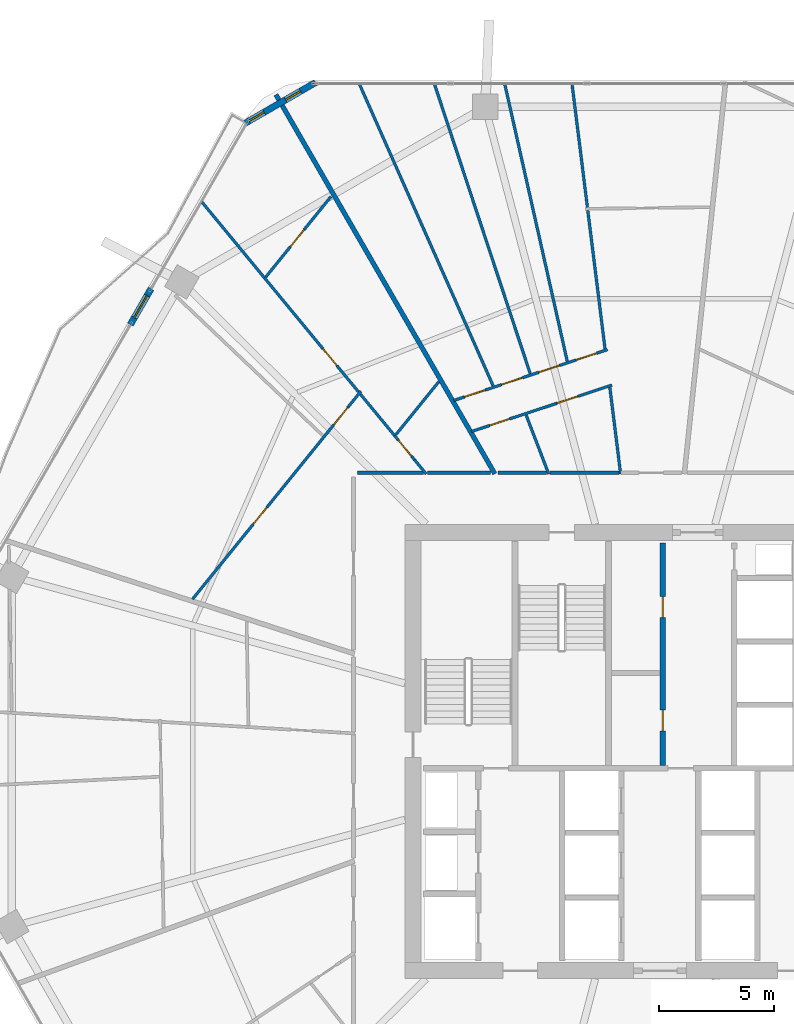
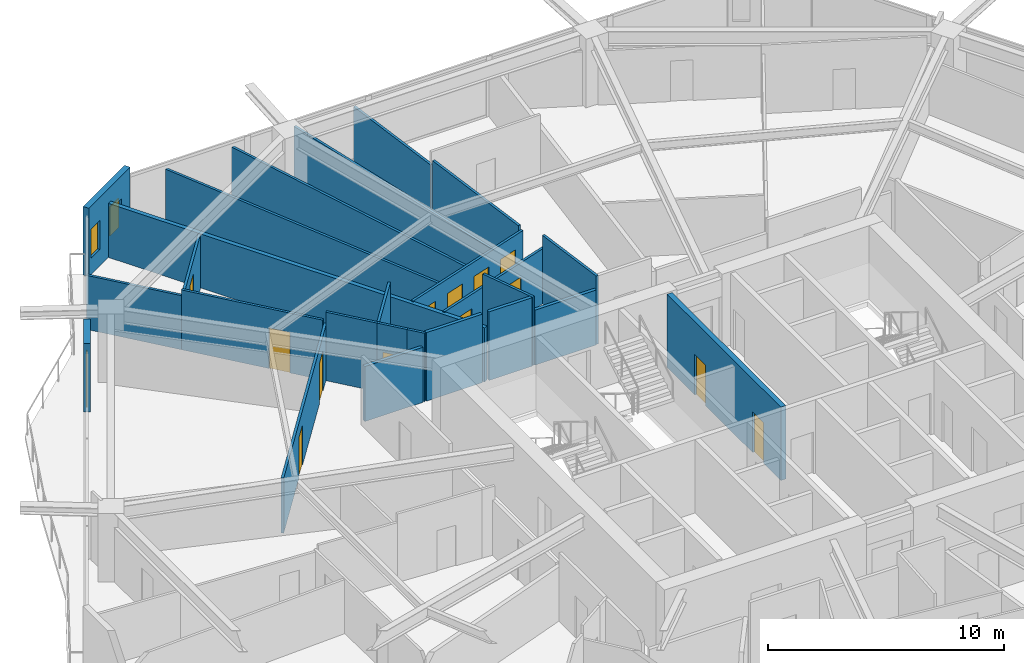
# One storey, part 27 of 33: 25 walls, 14 doors, 2 windows, 16 openings.
"""IFC4 building model written with IfcOpenShell, lengths in metres."""

import ifcopenshell
import ifcopenshell.guid

model = None  # the IFC model being written
_history = None  # IfcOwnerHistory: only IFC2X3 demands one
_inside = {}  # id of a spatial element -> (the spatial element, [elements in it])
_under = {}  # id of a project, library or spatial element -> (it, [spatial elements below it])
_declared = {}  # id of a project -> (the project, [libraries it declares])
_typed = {}  # id of a type object -> (the type object, [elements of that type])
_made_of = {}  # id of a material, layer set ... -> (it, [elements and type objects made of it])


def new_model(schema):
    """Start an empty IFC model of exactly this schema.

    Asked for "IFC4X3", IfcOpenShell would pick the latest addendum, in which some entities
    have other attributes; the version numbers below select the first issue.
    IFC2X3 requires an IfcOwnerHistory on every rooted entity: one is made here for all.
    """
    global model, _history
    if schema == "IFC4X3":
        model = ifcopenshell.file(schema_version=(4, 3, 0, 0))
    else:
        model = ifcopenshell.file(schema=schema)
    _inside.clear()
    _under.clear()
    _declared.clear()
    _typed.clear()
    _made_of.clear()
    _history = None
    if model.schema == "IFC2X3":
        org = make("IfcOrganization", Name="unknown")
        user = make(
            "IfcPersonAndOrganization",
            ThePerson=make("IfcPerson", FamilyName="unknown"),
            TheOrganization=org,
        )
        app = make(
            "IfcApplication",
            ApplicationDeveloper=org,
            Version="unknown",
            ApplicationFullName="unknown",
            ApplicationIdentifier="unknown",
        )
        _history = make(
            "IfcOwnerHistory",
            OwningUser=user,
            OwningApplication=app,
            ChangeAction="ADDED",
            CreationDate=0,
        )
    return model


def make(cls, **values):
    """One entity of the class cls with the attributes given. An attribute that is None is left unset."""
    return model.create_entity(
        cls, **{name: value for name, value in values.items() if value is not None}
    )


def rooted(cls, **values):
    """An entity with a GlobalId (a new one), such as an element, a storey or a relation."""
    return make(cls, GlobalId=ifcopenshell.guid.new(), OwnerHistory=_history, **values)


def si_unit(unit_type, name, prefix=None):
    """IfcSIUnit, for example si_unit("LENGTHUNIT", "METRE", prefix="MILLI")."""
    return make("IfcSIUnit", UnitType=unit_type, Prefix=prefix, Name=name)


def assignment(units):
    """IfcUnitAssignment: the units of a project."""
    return None if units is None else make("IfcUnitAssignment", Units=units)


def point(xyz):
    """IfcCartesianPoint."""
    return None if xyz is None else make("IfcCartesianPoint", Coordinates=xyz)


def direction(xyz):
    """IfcDirection."""
    return None if xyz is None else make("IfcDirection", DirectionRatios=xyz)


def frame(location, z_axis=None, x_axis=None):
    """IfcAxis2Placement3D, a coordinate frame: its origin and axes. An axis left out is left unset."""
    return make(
        "IfcAxis2Placement3D",
        Location=point(location),
        Axis=direction(z_axis),
        RefDirection=direction(x_axis),
    )


def frame_2d(location, x_axis=None):
    """IfcAxis2Placement2D, a coordinate frame in the plane: its origin and x axis."""
    return make(
        "IfcAxis2Placement2D", Location=point(location), RefDirection=direction(x_axis)
    )


def origin():
    """The frame at (0, 0, 0) with its axes left unset."""
    return frame((0.0, 0.0, 0.0))


def place(relative_to, where):
    """IfcLocalPlacement: puts the frame where relative to a parent placement (None: the world)."""
    return make(
        "IfcLocalPlacement", PlacementRelTo=relative_to, RelativePlacement=where
    )


def context(
    kind, dimensions, precision=None, world=None, true_north=None, identifier=None
):
    """IfcGeometricRepresentationContext, for example the 3D "Model" context."""
    return make(
        "IfcGeometricRepresentationContext",
        ContextIdentifier=identifier,
        ContextType=kind,
        CoordinateSpaceDimension=dimensions,
        Precision=precision,
        WorldCoordinateSystem=world,
        TrueNorth=true_north,
    )


def subcontext(parent, identifier, kind, view, scale=None):
    """IfcGeometricRepresentationSubContext, for example "Body" below "Model"."""
    return make(
        "IfcGeometricRepresentationSubContext",
        ContextIdentifier=identifier,
        ContextType=kind,
        ParentContext=parent,
        TargetScale=scale,
        TargetView=view,
    )


def project(units=None, contexts=None):
    """IfcProject with its units and contexts."""
    return rooted(
        "IfcProject",
        Name="project",
        RepresentationContexts=contexts,
        UnitsInContext=assignment(units),
    )


def spatial(cls, under=None, at=None, **own):
    """A site, building, storey or space (cls), placed at a placement, below another one or the project."""
    s = rooted(cls, ObjectPlacement=at, **own)
    if under is not None:
        _under.setdefault(under.id(), (under, []))[1].append(s)
    return s


def profile(cls, at=None, kind="AREA", **sizes):
    """A parametric profile (cls). Its sizes go by their IFC names, for example OverallWidth=200.0."""
    return make(cls, ProfileType=kind, Position=at, **sizes)


def rectangle(**sizes):
    """IfcRectangleProfileDef."""
    return profile("IfcRectangleProfileDef", **sizes)


def extrude(swept, where, along, depth):
    """IfcExtrudedAreaSolid: the profile swept, set in the frame where, extruded along a direction by depth."""
    return make(
        "IfcExtrudedAreaSolid",
        SweptArea=swept,
        Position=where,
        ExtrudedDirection=direction(along),
        Depth=depth,
    )


def shape(context_of_items, identifier, shape_type, items):
    """IfcShapeRepresentation: the items that make up one representation, for example the "Body"."""
    return make(
        "IfcShapeRepresentation",
        ContextOfItems=context_of_items,
        RepresentationIdentifier=identifier,
        RepresentationType=shape_type,
        Items=items,
    )


def material(Name=None, Category=None):
    """IfcMaterial."""
    return make("IfcMaterial", Name=Name, Category=Category)


def layer(
    of_material, thickness, ventilated=None, Name=None, Category=None, Priority=None
):
    """IfcMaterialLayer: one layer of a wall or slab, of a material (None: an air gap)."""
    return make(
        "IfcMaterialLayer",
        Material=of_material,
        LayerThickness=thickness,
        IsVentilated=ventilated,
        Name=Name,
        Category=Category,
        Priority=Priority,
    )


def layer_set(layers, Name=None):
    """IfcMaterialLayerSet."""
    return make("IfcMaterialLayerSet", MaterialLayers=layers, LayerSetName=Name)


def made_of(thing, what):
    """Note that an element or type object is made of a material, layer set ...; save() writes the relation."""
    if what is not None:
        _made_of.setdefault(what.id(), (what, []))[1].append(thing)
    return thing


def type_object(cls, material=None, **own):
    """A type object (cls), such as IfcWallType, which elements share."""
    return made_of(rooted(cls, **own), material)


def element(
    cls,
    number,
    at=None,
    inside=None,
    cuts=None,
    type_object=None,
    material=None,
    context=None,
    identifier="Body",
    shape_type=None,
    held_by="IfcProductDefinitionShape",
    body=None,
    shapes=None,
    **own,
):
    """One element of the class cls, such as IfcWall. Its Tag is "e" and its number.

    at: its placement. inside: the storey or other place that contains it. cuts: it is an
    opening in that element (IfcRelVoidsElement). A single representation is given by context,
    identifier, shape_type and body (its items); several are given by shapes. held_by: the class
    of the entity that holds the representations. save() writes the other relations.
    """
    e = rooted(cls, Tag="e%d" % number, ObjectPlacement=at, **own)
    if body is not None:
        shapes = [shape(context, identifier, shape_type, body)]
    if shapes is not None:
        e.Representation = make(held_by, Representations=shapes)
    if inside is not None:
        _inside.setdefault(inside.id(), (inside, []))[1].append(e)
    if cuts is not None:
        rooted(
            "IfcRelVoidsElement", RelatingBuildingElement=cuts, RelatedOpeningElement=e
        )
    if type_object is not None:
        _typed.setdefault(type_object.id(), (type_object, []))[1].append(e)
    return made_of(e, material)


def fill(opening, filler):
    """IfcRelFillsElement: the door or window that sits in an opening."""
    return rooted(
        "IfcRelFillsElement",
        RelatingOpeningElement=opening,
        RelatedBuildingElement=filler,
    )


def aggregate(whole, parts):
    """IfcRelAggregates: a whole, such as a stair, and the parts it consists of."""
    return rooted("IfcRelAggregates", RelatingObject=whole, RelatedObjects=parts)


def save(model, path):
    """Write the relations noted so far, then the file.

    IfcRelAggregates (storeys below a building ...), IfcRelContainedInSpatialStructure (elements
    in a storey), IfcRelDefinesByType, IfcRelAssociatesMaterial and IfcRelDeclares: one each for
    every whole, place, type object, material and project.
    """
    for whole, parts in _under.values():
        aggregate(whole, parts)
    for where, things in _inside.values():
        rooted(
            "IfcRelContainedInSpatialStructure",
            RelatedElements=things,
            RelatingStructure=where,
        )
    for kind, things in _typed.values():
        rooted("IfcRelDefinesByType", RelatedObjects=things, RelatingType=kind)
    for what, things in _made_of.values():
        rooted("IfcRelAssociatesMaterial", RelatedObjects=things, RelatingMaterial=what)
    for by, libraries in _declared.values():
        rooted("IfcRelDeclares", RelatingContext=by, RelatedDefinitions=libraries)
    model.write(path)


model = new_model("IFC4")

# Units and contexts
model_context = context("Model", 3, precision=1e-05, world=origin(), true_north=direction((0.0, 1.0)))
body_context = subcontext(model_context, "Body", "Model", "MODEL_VIEW")
ifc_project = project(units=[si_unit("LENGTHUNIT", "METRE"), si_unit("AREAUNIT", "SQUARE_METRE"), si_unit("VOLUMEUNIT", "CUBIC_METRE"), si_unit("PLANEANGLEUNIT", "RADIAN"), si_unit("MASSUNIT", "GRAM", prefix="KILO")], contexts=[model_context])

# Site, building, storey
site_placement = place(None, origin())
site = spatial("IfcSite", under=ifc_project, at=site_placement, CompositionType="ELEMENT")
building_placement = place(site_placement, origin())
building = spatial("IfcBuilding", under=site, at=building_placement, Name="Zuhravey Tower", CompositionType="ELEMENT")
storey_placement = place(building_placement, frame((0.0, 0.0, 96.199951171875)))
storey = spatial("IfcBuildingStorey", under=building, at=storey_placement, Name="L23", CompositionType="ELEMENT", Elevation=96.199951171875)

# Walls
ifc_material_1 = material(Name="Gypsum fire-rated stud partition")
ifc_layer_1 = layer(ifc_material_1, 0.159912109375)
ifc_layer_set_1 = layer_set([ifc_layer_1], Name="Gypsum fire-rated stud partition")
wall_type_1 = type_object("IfcWallType", Name="Corridor Fire Partition 160", PredefinedType="PARTITIONING", material=ifc_layer_set_1)
wall_1_placement = place(storey_placement, frame((34.427001953125, 44.080078125, 0.0), z_axis=(0.0, 0.0, 1.0), x_axis=(-1.0, 0.0, 0.0)))
element("IfcWall", 1, at=wall_1_placement, inside=storey, type_object=wall_type_1, Name="L23 IW16 Partition 122", PredefinedType="PARTITIONING", context=body_context, shape_type="SweptSolid", body=[
    extrude(rectangle(XDim=2.98828125, YDim=0.159912109375, at=frame_2d((1.494140625, 0.0))), origin(), (0.0, 0.0, 1.0), 2.85009765625),
])
wall_2_placement = place(storey_placement, frame((31.29296875, 44.080078125, 0.0), z_axis=(0.0, 0.0, 1.0), x_axis=(-1.0, 0.0, 0.0)))
element("IfcWall", 2, at=wall_2_placement, inside=storey, type_object=wall_type_1, Name="L23 IW16 Partition 123", PredefinedType="PARTITIONING", context=body_context, shape_type="SweptSolid", body=[
    extrude(rectangle(XDim=2.1044921875, YDim=0.159912109375, at=frame_2d((1.05224609375, 0.0))), origin(), (0.0, 0.0, 1.0), 3.550048828125),
])
wall_3_placement = place(storey_placement, frame((25.94677734375, 44.080078125, 0.0), z_axis=(0.0, 0.0, 1.0), x_axis=(-1.0, 0.0, 0.0)))
element("IfcWall", 3, at=wall_3_placement, inside=storey, type_object=wall_type_1, Name="L23 IW16 Partition 124", PredefinedType="PARTITIONING", context=body_context, shape_type="SweptSolid", body=[
    extrude(rectangle(XDim=2.8466796875, YDim=0.159912109375, at=frame_2d((1.42333984375, 0.0))), origin(), (0.0, 0.0, 1.0), 2.85009765625),
])
wall_4_placement = place(storey_placement, frame((28.861083984375, 44.080078125, 0.0), z_axis=(0.0, 0.0, 1.0), x_axis=(-1.0, 0.0, 0.0)))
element("IfcWall", 4, at=wall_4_placement, inside=storey, type_object=wall_type_1, Name="L23 IW16 Partition 125", PredefinedType="PARTITIONING", context=body_context, shape_type="SweptSolid", body=[
    extrude(rectangle(XDim=2.738037109375, YDim=0.159912109375, at=frame_2d((1.369140625, 0.0))), origin(), (0.0, 0.0, 1.0), 3.550048828125),
])

# Wall, opening, door
ifc_material_2 = material(Name="Precast concrete C40/50", Category="concrete")
ifc_layer_2 = layer(ifc_material_2, 0.280029296875)
ifc_layer_set_2 = layer_set([ifc_layer_2], Name="Precast concrete C40/50")
wall_type_2 = type_object("IfcWallType", Name="Crown Architectural Wall 280", PredefinedType="SOLIDWALL", material=ifc_layer_set_2)
wall_5_placement = place(storey_placement, frame((13.248779296875, 50.5107421875, 0.0), z_axis=(0.0, 0.0, 1.0), x_axis=(0.499982180423, 0.866035691677, 0.0)))
wall_5 = element("IfcWall", 5, at=wall_5_placement, inside=storey, type_object=wall_type_2, Name="L23 Face 3 Facade Pier EW28-1", PredefinedType="SOLIDWALL", context=body_context, shape_type="SweptSolid", body=[
    extrude(rectangle(XDim=1.7900390625, YDim=0.280029296875, at=frame_2d((0.89501953125, 0.0))), origin(), (0.0, 0.0, 1.0), 3.550048828125),
])
opening_1_placement = place(wall_5_placement, frame((0.344970703125, 0.0, 0.0)))
opening_1 = element("IfcOpeningElement", 6, at=opening_1_placement, cuts=wall_5, Name="Opening BLD1", PredefinedType="OPENING", context=body_context, shape_type="SweptSolid", body=[
    extrude(rectangle(XDim=1.10009765625, YDim=2.199951171875, at=frame_2d((0.550048828125, 1.10009765625))), frame((0.0, 0.152099609375, 0.0), z_axis=(0.0, -1.0, 0.0), x_axis=(1.0, 0.0, 0.0)), (0.0, 0.0, 1.0), 0.303955078125),
])
ifc_material_3 = material(Name="Thermally broken aluminium and low-E glass", Category="aluminium")
door_type_1 = type_object("IfcDoorType", Name="Balcony & Sky-Tray Glazed Door 1100x2200", OperationType="NOTDEFINED", PredefinedType="DOOR", material=ifc_material_3)
door_1_placement = place(opening_1_placement, frame((1.10009765625, 0.0, 0.0), z_axis=(0.0, 0.0, 1.0), x_axis=(-1.0, 0.0, 0.0)))
door_1 = element("IfcDoor", 7, at=door_1_placement, inside=storey, type_object=door_type_1, Name="L23 Face 3 Wave Balcony Door", OperationType="SINGLE_SWING_RIGHT", OverallHeight=2.199951171875, OverallWidth=1.10009765625, PredefinedType="DOOR", context=body_context, shape_type="SweptSolid", body=[
    extrude(rectangle(XDim=1.10009765625, YDim=2.199951171875, at=frame_2d((0.550048828125, 1.10009765625))), frame((0.0, 0.02490234375, 0.0), z_axis=(0.0, -1.0, 0.0), x_axis=(1.0, 0.0, 0.0)), (0.0, 0.0, 1.0), 0.050048828125),
])
fill(opening_1, door_1)

# Wall, openings, windows
wall_6_placement = place(storey_placement, frame((18.23876953125, 59.24853515625, 0.0), z_axis=(0.0, 0.0, 1.0), x_axis=(0.866007452331, 0.500031091541, 0.0)))
wall_6 = element("IfcWall", 8, at=wall_6_placement, inside=storey, type_object=wall_type_2, Name="L23 Rounded Corner Closure Wall EW28-08", PredefinedType="SOLIDWALL", context=body_context, shape_type="SweptSolid", body=[
    extrude(rectangle(XDim=3.514892578125, YDim=0.280029296875, at=frame_2d((1.75732421875, 0.0))), origin(), (0.0, 0.0, 1.0), 3.550048828125),
])
opening_2_placement = place(wall_6_placement, frame((2.0087890625, 0.0, 0.85009765625)))
opening_2 = element("IfcOpeningElement", 9, at=opening_2_placement, cuts=wall_6, Name="Opening WN5", PredefinedType="OPENING", context=body_context, shape_type="SweptSolid", body=[
    extrude(rectangle(XDim=0.75, YDim=1.5, at=frame_2d((0.375, 0.75))), frame((0.0, 0.152099609375, 0.0), z_axis=(0.0, -1.0, 0.0), x_axis=(1.0, 0.0, 0.0)), (0.0, 0.0, 1.0), 0.303955078125),
])
opening_3_placement = place(wall_6_placement, frame((0.18212890625, 0.0, 0.85009765625)))
opening_3 = element("IfcOpeningElement", 10, at=opening_3_placement, cuts=wall_6, Name="Opening WN5", PredefinedType="OPENING", context=body_context, shape_type="SweptSolid", body=[
    extrude(rectangle(XDim=0.75, YDim=1.5, at=frame_2d((0.375, 0.75))), frame((0.0, 0.152099609375, 0.0), z_axis=(0.0, -1.0, 0.0), x_axis=(1.0, 0.0, 0.0)), (0.0, 0.0, 1.0), 0.303955078125),
])
ifc_material_4 = material(Name="Thermally broken aluminium and triple low-E glass", Category="aluminium")
window_type = type_object("IfcWindowType", Name="Residential Corner Casement Window 750x1500", PartitioningType="SINGLE_PANEL", PredefinedType="WINDOW", material=ifc_material_4)
window_1_placement = place(opening_2_placement, origin())
window_1 = element("IfcWindow", 11, at=window_1_placement, inside=storey, type_object=window_type, Name="L23 Corner Casement Window WN5-08.1", OverallHeight=1.5, OverallWidth=0.75, PartitioningType="SINGLE_PANEL", PredefinedType="WINDOW", context=body_context, shape_type="SweptSolid", body=[
    extrude(rectangle(XDim=0.75, YDim=1.5, at=frame_2d((0.375, 0.75))), frame((0.0, 0.030029296875, 0.0), z_axis=(0.0, -1.0, 0.0), x_axis=(1.0, 0.0, 0.0)), (0.0, 0.0, 1.0), 0.06005859375),
])
fill(opening_2, window_1)
window_2_placement = place(opening_3_placement, origin())
window_2 = element("IfcWindow", 12, at=window_2_placement, inside=storey, type_object=window_type, Name="L23 Corner Casement Window WN5-08.2", OverallHeight=1.5, OverallWidth=0.75, PartitioningType="SINGLE_PANEL", PredefinedType="WINDOW", context=body_context, shape_type="SweptSolid", body=[
    extrude(rectangle(XDim=0.75, YDim=1.5, at=frame_2d((0.375, 0.75))), frame((0.0, 0.030029296875, 0.0), z_axis=(0.0, -1.0, 0.0), x_axis=(1.0, 0.0, 0.0)), (0.0, 0.0, 1.0), 0.06005859375),
])
fill(opening_3, window_2)

# Wall, openings, doors
ifc_material_5 = material(Name="Concrete C50/60", Category="concrete")
ifc_layer_3 = layer(ifc_material_5, 0.25)
ifc_layer_set_3 = layer_set([ifc_layer_3], Name="Concrete C50/60")
wall_type_3 = type_object("IfcWallType", Name="Firefighting Shaft & Stair Wall 250", PredefinedType="SOLIDWALL", material=ifc_layer_set_3)
wall_7_placement = place(storey_placement, frame((36.324951171875, 31.39990234375, 0.0), z_axis=(0.0, 0.0, 1.0), x_axis=(0.0, 1.0, 0.0)))
wall_7 = element("IfcWall", 13, at=wall_7_placement, inside=storey, type_object=wall_type_3, Name="L23 FW25 Shaft Wall 007", PredefinedType="SOLIDWALL", context=body_context, shape_type="SweptSolid", body=[
    extrude(rectangle(XDim=9.650146484375, YDim=0.25, at=frame_2d((4.8251953125, 0.0))), origin(), (0.0, 0.0, 1.0), 3.800048828125),
])
opening_4_placement = place(wall_7_placement, frame((1.489990234375, 0.0, 0.0)))
opening_4 = element("IfcOpeningElement", 14, at=opening_4_placement, cuts=wall_7, Name="Opening RSD1", PredefinedType="OPENING", context=body_context, shape_type="SweptSolid", body=[
    extrude(rectangle(XDim=0.89990234375, YDim=2.10009765625, at=frame_2d((0.449951171875, 1.050048828125))), frame((0.0, 0.136962890625, 0.0), z_axis=(0.0, -1.0, 0.0), x_axis=(1.0, 0.0, 0.0)), (0.0, 0.0, 1.0), 0.27392578125),
])
opening_5_placement = place(wall_7_placement, frame((6.409912109375, 0.0, 0.0)))
opening_5 = element("IfcOpeningElement", 15, at=opening_5_placement, cuts=wall_7, Name="Opening RSD1", PredefinedType="OPENING", context=body_context, shape_type="SweptSolid", body=[
    extrude(rectangle(XDim=0.89990234375, YDim=2.10009765625, at=frame_2d((0.449951171875, 1.050048828125))), frame((0.0, 0.136962890625, 0.0), z_axis=(0.0, -1.0, 0.0), x_axis=(1.0, 0.0, 0.0)), (0.0, 0.0, 1.0), 0.27392578125),
])
ifc_material_6 = material(Name="Galvanised fire-rated steel access leaf", Category="steel")
door_type_2 = type_object("IfcDoorType", Name="Riser & Shaft Access Fire Door 900x2100", OperationType="NOTDEFINED", PredefinedType="DOOR", material=ifc_material_6)
door_2_placement = place(opening_4_placement, origin())
door_2 = element("IfcDoor", 16, at=door_2_placement, inside=storey, type_object=door_type_2, Name="L23 Core Cleaner Store Door", OperationType="SINGLE_SWING_RIGHT", OverallHeight=2.10009765625, OverallWidth=0.89990234375, PredefinedType="DOOR", context=body_context, shape_type="SweptSolid", body=[
    extrude(rectangle(XDim=0.89990234375, YDim=2.10009765625, at=frame_2d((0.449951171875, 1.050048828125))), frame((0.0, 0.02490234375, 0.0), z_axis=(0.0, -1.0, 0.0), x_axis=(1.0, 0.0, 0.0)), (0.0, 0.0, 1.0), 0.050048828125),
])
fill(opening_4, door_2)
door_3_placement = place(opening_5_placement, origin())
door_3 = element("IfcDoor", 17, at=door_3_placement, inside=storey, type_object=door_type_2, Name="L23 Core Pantry and Tea Room Door", OperationType="SINGLE_SWING_LEFT", OverallHeight=2.10009765625, OverallWidth=0.89990234375, PredefinedType="DOOR", context=body_context, shape_type="SweptSolid", body=[
    extrude(rectangle(XDim=0.89990234375, YDim=2.10009765625, at=frame_2d((0.449951171875, 1.050048828125))), frame((0.0, 0.02490234375, 0.0), z_axis=(0.0, -1.0, 0.0), x_axis=(1.0, 0.0, 0.0)), (0.0, 0.0, 1.0), 0.050048828125),
])
fill(opening_5, door_3)

# Wall
ifc_material_7 = material(Name="Gypsum double-stud party assembly")
ifc_layer_4 = layer(ifc_material_7, 0.199951171875)
ifc_layer_set_4 = layer_set([ifc_layer_4], Name="Gypsum double-stud party assembly")
wall_type_4 = type_object("IfcWallType", Name="Inter-Tenancy Party Wall 200", PredefinedType="PARTITIONING", material=ifc_layer_set_4)
wall_8_placement = place(storey_placement, frame((29.048583984375, 44.0400390625, 0.0), z_axis=(0.0, 0.0, 1.0), x_axis=(-0.499993398997, 0.866029214842, 0.0)))
element("IfcWall", 18, at=wall_8_placement, inside=storey, type_object=wall_type_4, Name="L23 IW20 Partition 089", PredefinedType="PARTITIONING", context=body_context, shape_type="SweptSolid", body=[
    extrude(rectangle(XDim=18.979736328125, YDim=0.199951171875, at=frame_2d((9.48974609375, 0.0))), origin(), (0.0, 0.0, 1.0), 2.800048828125),
])

# Wall, openings, doors
ifc_material_8 = material(Name="Gypsum metal-stud partition")
ifc_layer_5 = layer(ifc_material_8, 0.1201171875)
ifc_layer_set_5 = layer_set([ifc_layer_5], Name="Gypsum metal-stud partition")
wall_type_5 = type_object("IfcWallType", Name="Unit Internal Partition 120", PredefinedType="PARTITIONING", material=ifc_layer_set_5)
wall_9_placement = place(storey_placement, frame((34.1220703125, 47.885498046875, 0.0), z_axis=(0.0, 0.0, 1.0), x_axis=(-0.949423400421, -0.313998736834, 0.0)))
wall_9 = element("IfcWall", 19, at=wall_9_placement, inside=storey, type_object=wall_type_5, Name="L23 IW12 Partition 032", PredefinedType="PARTITIONING", context=body_context, shape_type="SweptSolid", body=[
    extrude(rectangle(XDim=6.409912109375, YDim=0.1201171875, at=frame_2d((3.205078125, 0.0))), origin(), (0.0, 0.0, 1.0), 2.85009765625),
])
opening_6_placement = place(wall_9_placement, frame((1.54638671875, 0.0, 0.0)))
opening_6 = element("IfcOpeningElement", 20, at=opening_6_placement, cuts=wall_9, Name="Opening IND1", PredefinedType="OPENING", context=body_context, shape_type="SweptSolid", body=[
    extrude(rectangle(XDim=0.949951171875, YDim=2.10009765625, at=frame_2d((0.47509765625, 1.050048828125))), frame((0.0, 0.072021484375, 0.0), z_axis=(0.0, -1.0, 0.0), x_axis=(1.0, 0.0, 0.0)), (0.0, 0.0, 1.0), 0.14404296875),
])
opening_7_placement = place(wall_9_placement, frame((4.67431640625, 0.0, 0.0)))
opening_7 = element("IfcOpeningElement", 21, at=opening_7_placement, cuts=wall_9, Name="Opening WCD1", PredefinedType="OPENING", context=body_context, shape_type="SweptSolid", body=[
    extrude(rectangle(XDim=0.89990234375, YDim=2.10009765625, at=frame_2d((0.449951171875, 1.050048828125))), frame((0.0, 0.072021484375, 0.0), z_axis=(0.0, -1.0, 0.0), x_axis=(1.0, 0.0, 0.0)), (0.0, 0.0, 1.0), 0.14404296875),
])
ifc_material_9 = material(Name="Moisture-resistant timber leaf", Category="wood")
door_type_3 = type_object("IfcDoorType", Name="Bathroom & WC Internal Door 900x2100", OperationType="NOTDEFINED", PredefinedType="DOOR", material=ifc_material_9)
door_4_placement = place(opening_7_placement, origin())
door_4 = element("IfcDoor", 22, at=door_4_placement, inside=storey, type_object=door_type_3, Name="Apartment L23-03 Bathroom Door", OperationType="SINGLE_SWING_LEFT", OverallHeight=2.10009765625, OverallWidth=0.89990234375, PredefinedType="DOOR", context=body_context, shape_type="SweptSolid", body=[
    extrude(rectangle(XDim=0.89990234375, YDim=2.10009765625, at=frame_2d((0.449951171875, 1.050048828125))), frame((0.0, 0.02490234375, 0.0), z_axis=(0.0, -1.0, 0.0), x_axis=(1.0, 0.0, 0.0)), (0.0, 0.0, 1.0), 0.050048828125),
])
fill(opening_7, door_4)
ifc_material_10 = material(Name="Painted engineered timber leaf", Category="wood")
door_type_4 = type_object("IfcDoorType", Name="Internal Room & Bedroom Door 950x2100", OperationType="NOTDEFINED", PredefinedType="DOOR", material=ifc_material_10)
door_5_placement = place(opening_6_placement, origin())
door_5 = element("IfcDoor", 23, at=door_5_placement, inside=storey, type_object=door_type_4, Name="Apartment L23-03 Kitchen Door", OperationType="SINGLE_SWING_RIGHT", OverallHeight=2.10009765625, OverallWidth=0.949951171875, PredefinedType="DOOR", context=body_context, shape_type="SweptSolid", body=[
    extrude(rectangle(XDim=0.949951171875, YDim=2.10009765625, at=frame_2d((0.47509765625, 1.050048828125))), frame((0.0, 0.02490234375, 0.0), z_axis=(0.0, -1.0, 0.0), x_axis=(1.0, 0.0, 0.0)), (0.0, 0.0, 1.0), 0.050048828125),
])
fill(opening_6, door_5)

wall_10_placement = place(storey_placement, frame((33.9306640625, 49.423095703125, 0.0), z_axis=(0.0, 0.0, 1.0), x_axis=(-0.949429209045, -0.313981173023, 0.0)))
wall_10 = element("IfcWall", 24, at=wall_10_placement, inside=storey, type_object=wall_type_5, Name="L23 IW12 Partition 033", PredefinedType="PARTITIONING", context=body_context, shape_type="SweptSolid", body=[
    extrude(rectangle(XDim=7.011962890625, YDim=0.1201171875, at=frame_2d((3.505859375, 0.0))), origin(), (0.0, 0.0, 1.0), 2.85009765625),
])
opening_8_placement = place(wall_10_placement, frame((0.485107421875, 0.0, 0.0)))
opening_8 = element("IfcOpeningElement", 25, at=opening_8_placement, cuts=wall_10, Name="Opening IND1", PredefinedType="OPENING", context=body_context, shape_type="SweptSolid", body=[
    extrude(rectangle(XDim=0.949951171875, YDim=2.10009765625, at=frame_2d((0.47509765625, 1.050048828125))), frame((0.0, 0.072021484375, 0.0), z_axis=(0.0, -1.0, 0.0), x_axis=(1.0, 0.0, 0.0)), (0.0, 0.0, 1.0), 0.14404296875),
])
opening_9_placement = place(wall_10_placement, frame((2.18798828125, 0.0, 0.0)))
opening_9 = element("IfcOpeningElement", 26, at=opening_9_placement, cuts=wall_10, Name="Opening IND1", PredefinedType="OPENING", context=body_context, shape_type="SweptSolid", body=[
    extrude(rectangle(XDim=0.949951171875, YDim=2.10009765625, at=frame_2d((0.47509765625, 1.050048828125))), frame((0.0, 0.072021484375, 0.0), z_axis=(0.0, -1.0, 0.0), x_axis=(1.0, 0.0, 0.0)), (0.0, 0.0, 1.0), 0.14404296875),
])
opening_10_placement = place(wall_10_placement, frame((3.8740234375, 0.0, 0.0)))
opening_10 = element("IfcOpeningElement", 27, at=opening_10_placement, cuts=wall_10, Name="Opening IND1", PredefinedType="OPENING", context=body_context, shape_type="SweptSolid", body=[
    extrude(rectangle(XDim=0.949951171875, YDim=2.10009765625, at=frame_2d((0.47509765625, 1.050048828125))), frame((0.0, 0.072021484375, 0.0), z_axis=(0.0, -1.0, 0.0), x_axis=(1.0, 0.0, 0.0)), (0.0, 0.0, 1.0), 0.14404296875),
])
opening_11_placement = place(wall_10_placement, frame((5.576904296875, 0.0, 0.0)))
opening_11 = element("IfcOpeningElement", 28, at=opening_11_placement, cuts=wall_10, Name="Opening IND1", PredefinedType="OPENING", context=body_context, shape_type="SweptSolid", body=[
    extrude(rectangle(XDim=0.949951171875, YDim=2.10009765625, at=frame_2d((0.47509765625, 1.050048828125))), frame((0.0, 0.072021484375, 0.0), z_axis=(0.0, -1.0, 0.0), x_axis=(1.0, 0.0, 0.0)), (0.0, 0.0, 1.0), 0.14404296875),
])
door_6_placement = place(opening_8_placement, frame((0.949951171875, 0.0, 0.0), z_axis=(0.0, 0.0, 1.0), x_axis=(-1.0, 0.0, 0.0)))
door_6 = element("IfcDoor", 29, at=door_6_placement, inside=storey, type_object=door_type_4, Name="Apartment L23-03 Bedroom 1 Door", OperationType="SINGLE_SWING_RIGHT", OverallHeight=2.10009765625, OverallWidth=0.949951171875, PredefinedType="DOOR", context=body_context, shape_type="SweptSolid", body=[
    extrude(rectangle(XDim=0.949951171875, YDim=2.10009765625, at=frame_2d((0.47509765625, 1.050048828125))), frame((0.0, 0.02490234375, 0.0), z_axis=(0.0, -1.0, 0.0), x_axis=(1.0, 0.0, 0.0)), (0.0, 0.0, 1.0), 0.050048828125),
])
fill(opening_8, door_6)
door_7_placement = place(opening_9_placement, frame((0.949951171875, 0.0, 0.0), z_axis=(0.0, 0.0, 1.0), x_axis=(-1.0, 0.0, 0.0)))
door_7 = element("IfcDoor", 30, at=door_7_placement, inside=storey, type_object=door_type_4, Name="Apartment L23-03 Bedroom 2 Door", OperationType="SINGLE_SWING_LEFT", OverallHeight=2.10009765625, OverallWidth=0.949951171875, PredefinedType="DOOR", context=body_context, shape_type="SweptSolid", body=[
    extrude(rectangle(XDim=0.949951171875, YDim=2.10009765625, at=frame_2d((0.47509765625, 1.050048828125))), frame((0.0, 0.02490234375, 0.0), z_axis=(0.0, -1.0, 0.0), x_axis=(1.0, 0.0, 0.0)), (0.0, 0.0, 1.0), 0.050048828125),
])
fill(opening_9, door_7)
door_8_placement = place(opening_10_placement, frame((0.949951171875, 0.0, 0.0), z_axis=(0.0, 0.0, 1.0), x_axis=(-1.0, 0.0, 0.0)))
door_8 = element("IfcDoor", 31, at=door_8_placement, inside=storey, type_object=door_type_4, Name="Apartment L23-03 Bedroom 3 Door", OperationType="SINGLE_SWING_RIGHT", OverallHeight=2.10009765625, OverallWidth=0.949951171875, PredefinedType="DOOR", context=body_context, shape_type="SweptSolid", body=[
    extrude(rectangle(XDim=0.949951171875, YDim=2.10009765625, at=frame_2d((0.47509765625, 1.050048828125))), frame((0.0, 0.02490234375, 0.0), z_axis=(0.0, -1.0, 0.0), x_axis=(1.0, 0.0, 0.0)), (0.0, 0.0, 1.0), 0.050048828125),
])
fill(opening_10, door_8)
door_9_placement = place(opening_11_placement, frame((0.949951171875, 0.0, 0.0), z_axis=(0.0, 0.0, 1.0), x_axis=(-1.0, 0.0, 0.0)))
door_9 = element("IfcDoor", 32, at=door_9_placement, inside=storey, type_object=door_type_4, Name="Apartment L23-03 Bedroom 4 Door", OperationType="SINGLE_SWING_LEFT", OverallHeight=2.10009765625, OverallWidth=0.949951171875, PredefinedType="DOOR", context=body_context, shape_type="SweptSolid", body=[
    extrude(rectangle(XDim=0.949951171875, YDim=2.10009765625, at=frame_2d((0.47509765625, 1.050048828125))), frame((0.0, 0.02490234375, 0.0), z_axis=(0.0, -1.0, 0.0), x_axis=(1.0, 0.0, 0.0)), (0.0, 0.0, 1.0), 0.050048828125),
])
fill(opening_11, door_9)

wall_11_placement = place(storey_placement, frame((23.24365234375, 47.620849609375, 0.0), z_axis=(0.0, 0.0, 1.0), x_axis=(-0.629321725732, -0.777144880651, 0.0)))
wall_11 = element("IfcWall", 33, at=wall_11_placement, inside=storey, type_object=wall_type_5, Name="L23 IW12 Partition 035", PredefinedType="PARTITIONING", context=body_context, shape_type="SweptSolid", body=[
    extrude(rectangle(XDim=11.6005859375, YDim=0.1201171875, at=frame_2d((5.80029296875, 0.0))), origin(), (0.0, 0.0, 1.0), 2.85009765625),
])
opening_12_placement = place(wall_11_placement, frame((0.916259765625, 0.0, 0.0)))
opening_12 = element("IfcOpeningElement", 34, at=opening_12_placement, cuts=wall_11, Name="Opening IND1", PredefinedType="OPENING", context=body_context, shape_type="SweptSolid", body=[
    extrude(rectangle(XDim=0.949951171875, YDim=2.10009765625, at=frame_2d((0.47509765625, 1.050048828125))), frame((0.0, 0.072021484375, 0.0), z_axis=(0.0, -1.0, 0.0), x_axis=(1.0, 0.0, 0.0)), (0.0, 0.0, 1.0), 0.14404296875),
])
opening_13_placement = place(wall_11_placement, frame((6.476318359375, 0.0, 0.0)))
opening_13 = element("IfcOpeningElement", 35, at=opening_13_placement, cuts=wall_11, Name="Opening IND1", PredefinedType="OPENING", context=body_context, shape_type="SweptSolid", body=[
    extrude(rectangle(XDim=0.949951171875, YDim=2.10009765625, at=frame_2d((0.47509765625, 1.050048828125))), frame((0.0, 0.072021484375, 0.0), z_axis=(0.0, -1.0, 0.0), x_axis=(1.0, 0.0, 0.0)), (0.0, 0.0, 1.0), 0.14404296875),
])
door_10_placement = place(opening_12_placement, frame((0.949951171875, 0.0, 0.0), z_axis=(0.0, 0.0, 1.0), x_axis=(-1.0, 0.0, 0.0)))
door_10 = element("IfcDoor", 36, at=door_10_placement, inside=storey, type_object=door_type_4, Name="Apartment L23-04 Family Study Door", OperationType="SINGLE_SWING_LEFT", OverallHeight=2.10009765625, OverallWidth=0.949951171875, PredefinedType="DOOR", context=body_context, shape_type="SweptSolid", body=[
    extrude(rectangle(XDim=0.949951171875, YDim=2.10009765625, at=frame_2d((0.47509765625, 1.050048828125))), frame((0.0, 0.02490234375, 0.0), z_axis=(0.0, -1.0, 0.0), x_axis=(1.0, 0.0, 0.0)), (0.0, 0.0, 1.0), 0.050048828125),
])
fill(opening_12, door_10)
door_11_placement = place(opening_13_placement, frame((0.949951171875, 0.0, 0.0), z_axis=(0.0, 0.0, 1.0), x_axis=(-1.0, 0.0, 0.0)))
door_11 = element("IfcDoor", 37, at=door_11_placement, inside=storey, type_object=door_type_4, Name="Apartment L23-04 Dining Room Door", OperationType="SINGLE_SWING_RIGHT", OverallHeight=2.10009765625, OverallWidth=0.949951171875, PredefinedType="DOOR", context=body_context, shape_type="SweptSolid", body=[
    extrude(rectangle(XDim=0.949951171875, YDim=2.10009765625, at=frame_2d((0.47509765625, 1.050048828125))), frame((0.0, 0.02490234375, 0.0), z_axis=(0.0, -1.0, 0.0), x_axis=(1.0, 0.0, 0.0)), (0.0, 0.0, 1.0), 0.050048828125),
])
fill(opening_13, door_11)

# Wall, opening, door
wall_12_placement = place(storey_placement, frame((25.564697265625, 44.64990234375, 0.0), z_axis=(0.0, 0.0, 1.0), x_axis=(-0.636278938951, 0.771459079827, 0.0)))
wall_12 = element("IfcWall", 38, at=wall_12_placement, inside=storey, type_object=wall_type_5, Name="L23 IW12 Partition 036", PredefinedType="PARTITIONING", context=body_context, shape_type="SweptSolid", body=[
    extrude(rectangle(XDim=1.36181640625, YDim=0.1201171875, at=frame_2d((0.680908203125, 0.0))), origin(), (0.0, 0.0, 1.0), 3.550048828125),
])
opening_14_placement = place(wall_12_placement, frame((0.199951171875, 0.0, 0.0)))
opening_14 = element("IfcOpeningElement", 39, at=opening_14_placement, cuts=wall_12, Name="Opening WCD1", PredefinedType="OPENING", context=body_context, shape_type="SweptSolid", body=[
    extrude(rectangle(XDim=0.89990234375, YDim=2.10009765625, at=frame_2d((0.449951171875, 1.050048828125))), frame((0.0, 0.072021484375, 0.0), z_axis=(0.0, -1.0, 0.0), x_axis=(1.0, 0.0, 0.0)), (0.0, 0.0, 1.0), 0.14404296875),
])
door_12_placement = place(opening_14_placement, frame((0.89990234375, 0.0, 0.0), z_axis=(0.0, 0.0, 1.0), x_axis=(-1.0, 0.0, 0.0)))
door_12 = element("IfcDoor", 40, at=door_12_placement, inside=storey, type_object=door_type_3, Name="Apartment L23-04 Bathroom Door", OperationType="SINGLE_SWING_LEFT", OverallHeight=2.10009765625, OverallWidth=0.89990234375, PredefinedType="DOOR", context=body_context, shape_type="SweptSolid", body=[
    extrude(rectangle(XDim=0.89990234375, YDim=2.10009765625, at=frame_2d((0.449951171875, 1.050048828125))), frame((0.0, 0.02490234375, 0.0), z_axis=(0.0, -1.0, 0.0), x_axis=(1.0, 0.0, 0.0)), (0.0, 0.0, 1.0), 0.050048828125),
])
fill(opening_14, door_12)

# Wall
wall_13_placement = place(storey_placement, frame((24.6982421875, 45.700439453125, 0.0), z_axis=(0.0, 0.0, 1.0), x_axis=(-0.636404893794, 0.771355178342, 0.0)))
element("IfcWall", 41, at=wall_13_placement, inside=storey, type_object=wall_type_5, Name="L23 IW12 Partition 037", PredefinedType="PARTITIONING", context=body_context, shape_type="SweptSolid", body=[
    extrude(rectangle(XDim=2.3173828125, YDim=0.1201171875, at=frame_2d((1.15869140625, 0.0))), origin(), (0.0, 0.0, 1.0), 3.550048828125),
])

# Wall, opening, door
wall_14_placement = place(storey_placement, frame((23.13525390625, 47.59521484375, 0.0), z_axis=(0.0, 0.0, 1.0), x_axis=(-0.636375017003, 0.77137982715, 0.0)))
wall_14 = element("IfcWall", 42, at=wall_14_placement, inside=storey, type_object=wall_type_5, Name="L23 IW12 Partition 038", PredefinedType="PARTITIONING", context=body_context, shape_type="SweptSolid", body=[
    extrude(rectangle(XDim=6.4052734375, YDim=0.1201171875, at=frame_2d((3.20263671875, 0.0))), origin(), (0.0, 0.0, 1.0), 3.10009765625),
])
opening_15_placement = place(wall_14_placement, frame((1.474365234375, 0.0, 0.0)))
opening_15 = element("IfcOpeningElement", 43, at=opening_15_placement, cuts=wall_14, Name="Opening IND1", PredefinedType="OPENING", context=body_context, shape_type="SweptSolid", body=[
    extrude(rectangle(XDim=0.949951171875, YDim=2.10009765625, at=frame_2d((0.47509765625, 1.050048828125))), frame((0.0, 0.072021484375, 0.0), z_axis=(0.0, -1.0, 0.0), x_axis=(1.0, 0.0, 0.0)), (0.0, 0.0, 1.0), 0.14404296875),
])
door_13_placement = place(opening_15_placement, frame((0.949951171875, 0.0, 0.0), z_axis=(0.0, 0.0, 1.0), x_axis=(-1.0, 0.0, 0.0)))
door_13 = element("IfcDoor", 44, at=door_13_placement, inside=storey, type_object=door_type_4, Name="Apartment L23-04 Home Office Door", OperationType="SINGLE_SWING_RIGHT", OverallHeight=2.10009765625, OverallWidth=0.949951171875, PredefinedType="DOOR", context=body_context, shape_type="SweptSolid", body=[
    extrude(rectangle(XDim=0.949951171875, YDim=2.10009765625, at=frame_2d((0.47509765625, 1.050048828125))), frame((0.0, 0.02490234375, 0.0), z_axis=(0.0, -1.0, 0.0), x_axis=(1.0, 0.0, 0.0)), (0.0, 0.0, 1.0), 0.050048828125),
])
fill(opening_15, door_13)

wall_15_placement = place(storey_placement, frame((21.944091796875, 56.05908203125, 0.0), z_axis=(0.0, 0.0, 1.0), x_axis=(-0.629293659157, -0.777167607756, 0.0)))
wall_15 = element("IfcWall", 45, at=wall_15_placement, inside=storey, type_object=wall_type_5, Name="L23 IW12 Partition 039", PredefinedType="PARTITIONING", context=body_context, shape_type="SweptSolid", body=[
    extrude(rectangle(XDim=4.489013671875, YDim=0.1201171875, at=frame_2d((2.24462890625, 0.0))), origin(), (0.0, 0.0, 1.0), 2.800048828125),
])
opening_16_placement = place(wall_15_placement, frame((1.855224609375, 0.0, 0.0)))
opening_16 = element("IfcOpeningElement", 46, at=opening_16_placement, cuts=wall_15, Name="Opening IND1", PredefinedType="OPENING", context=body_context, shape_type="SweptSolid", body=[
    extrude(rectangle(XDim=0.949951171875, YDim=2.10009765625, at=frame_2d((0.47509765625, 1.050048828125))), frame((0.0, 0.072021484375, 0.0), z_axis=(0.0, -1.0, 0.0), x_axis=(1.0, 0.0, 0.0)), (0.0, 0.0, 1.0), 0.14404296875),
])
door_14_placement = place(opening_16_placement, frame((0.949951171875, 0.0, 0.0), z_axis=(0.0, 0.0, 1.0), x_axis=(-1.0, 0.0, 0.0)))
door_14 = element("IfcDoor", 47, at=door_14_placement, inside=storey, type_object=door_type_4, Name="Apartment L23-04 Bedroom 1 Door", OperationType="SINGLE_SWING_LEFT", OverallHeight=2.10009765625, OverallWidth=0.949951171875, PredefinedType="DOOR", context=body_context, shape_type="SweptSolid", body=[
    extrude(rectangle(XDim=0.949951171875, YDim=2.10009765625, at=frame_2d((0.47509765625, 1.050048828125))), frame((0.0, 0.02490234375, 0.0), z_axis=(0.0, -1.0, 0.0), x_axis=(1.0, 0.0, 0.0)), (0.0, 0.0, 1.0), 0.050048828125),
])
fill(opening_16, door_14)

# Walls
wall_16_placement = place(storey_placement, frame((31.385009765625, 44.030029296875, 0.0), z_axis=(0.0, 0.0, 1.0), x_axis=(-0.35815382697, 0.933662592282, 0.0)))
element("IfcWall", 48, at=wall_16_placement, inside=storey, type_object=wall_type_5, Name="L23 IW12 Partition 082", PredefinedType="PARTITIONING", context=body_context, shape_type="SweptSolid", body=[
    extrude(rectangle(XDim=2.736083984375, YDim=0.1201171875, at=frame_2d((1.3681640625, 0.0))), origin(), (0.0, 0.0, 1.0), 3.550048828125),
])
wall_17_placement = place(storey_placement, frame((32.1875, 48.918212890625, 0.0), z_axis=(0.0, 0.0, 1.0), x_axis=(-0.2198592635, 0.975531600848, 0.0)))
element("IfcWall", 49, at=wall_17_placement, inside=storey, type_object=wall_type_5, Name="L23 IW12 Partition 083", PredefinedType="PARTITIONING", context=body_context, shape_type="SweptSolid", body=[
    extrude(rectangle(XDim=12.3525390625, YDim=0.1201171875, at=frame_2d((6.17626953125, 0.0))), origin(), (0.0, 0.0, 1.0), 2.800048828125),
])
wall_18_placement = place(storey_placement, frame((30.58056640625, 48.38671875, 0.0), z_axis=(0.0, 0.0, 1.0), x_axis=(-0.31398296165, 0.949428617534, 0.0)))
element("IfcWall", 50, at=wall_18_placement, inside=storey, type_object=wall_type_5, Name="L23 IW12 Partition 084", PredefinedType="PARTITIONING", context=body_context, shape_type="SweptSolid", body=[
    extrude(rectangle(XDim=13.251953125, YDim=0.1201171875, at=frame_2d((6.6259765625, 0.0))), origin(), (0.0, 0.0, 1.0), 2.800048828125),
])
wall_19_placement = place(storey_placement, frame((28.973876953125, 47.85546875, 0.0), z_axis=(0.0, 0.0, 1.0), x_axis=(-0.405149568186, 0.91425041832, 0.0)))
element("IfcWall", 51, at=wall_19_placement, inside=storey, type_object=wall_type_5, Name="L23 IW12 Partition 085", PredefinedType="PARTITIONING", context=body_context, shape_type="SweptSolid", body=[
    extrude(rectangle(XDim=14.343017578125, YDim=0.1201171875, at=frame_2d((7.17138671875, 0.0))), origin(), (0.0, 0.0, 1.0), 2.800048828125),
])
wall_20_placement = place(storey_placement, frame((34.501708984375, 44.0302734375, 0.0), z_axis=(0.0, 0.0, 1.0), x_axis=(-0.123637622929, 0.992327434971, 0.0)))
element("IfcWall", 52, at=wall_20_placement, inside=storey, type_object=wall_type_5, Name="L23 IW12 Partition 086", PredefinedType="PARTITIONING", context=body_context, shape_type="SweptSolid", body=[
    extrude(rectangle(XDim=3.783447265625, YDim=0.1201171875, at=frame_2d((1.8916015625, 0.0))), origin(), (0.0, 0.0, 1.0), 3.550048828125),
])
wall_21_placement = place(storey_placement, frame((33.8251953125, 49.4599609375, 0.0), z_axis=(0.0, 0.0, 1.0), x_axis=(-0.123607162853, 0.992331229626, 0.0)))
element("IfcWall", 53, at=wall_21_placement, inside=storey, type_object=wall_type_5, Name="L23 IW12 Partition 087", PredefinedType="PARTITIONING", context=body_context, shape_type="SweptSolid", body=[
    extrude(rectangle(XDim=6.0439453125, YDim=0.1201171875, at=frame_2d((3.02197265625, 0.0))), origin(), (0.0, 0.0, 1.0), 3.10009765625),
])
wall_22_placement = place(storey_placement, frame((33.061279296875, 55.593505859375, 0.0), z_axis=(0.0, 0.0, 1.0), x_axis=(-0.12359092377, 0.99233325227, 0.0)))
element("IfcWall", 54, at=wall_22_placement, inside=storey, type_object=wall_type_5, Name="L23 IW12 Partition 088", PredefinedType="PARTITIONING", context=body_context, shape_type="SweptSolid", body=[
    extrude(rectangle(XDim=5.41650390625, YDim=0.1201171875, at=frame_2d((2.708251953125, 0.0))), origin(), (0.0, 0.0, 1.0), 2.800048828125),
])
wall_23_placement = place(storey_placement, frame((26.072021484375, 44.034912109375, 0.0), z_axis=(0.0, 0.0, 1.0), x_axis=(-0.636351066899, 0.771399584947, 0.0)))
element("IfcWall", 55, at=wall_23_placement, inside=storey, type_object=wall_type_5, Name="L23 IW12 Partition 091", PredefinedType="PARTITIONING", context=body_context, shape_type="SweptSolid", body=[
    extrude(rectangle(XDim=0.797119140625, YDim=0.1201171875, at=frame_2d((0.3984375, 0.0))), origin(), (0.0, 0.0, 1.0), 3.550048828125),
])
wall_24_placement = place(storey_placement, frame((19.05908203125, 52.5361328125, 0.0), z_axis=(0.0, 0.0, 1.0), x_axis=(-0.636324617316, 0.771421403254, 0.0)))
element("IfcWall", 56, at=wall_24_placement, inside=storey, type_object=wall_type_5, Name="L23 IW12 Partition 092", PredefinedType="PARTITIONING", context=body_context, shape_type="SweptSolid", body=[
    extrude(rectangle(XDim=4.295654296875, YDim=0.1201171875, at=frame_2d((2.14794921875, 0.0))), origin(), (0.0, 0.0, 1.0), 2.800048828125),
])
wall_25_placement = place(storey_placement, frame((26.618896484375, 48.03271484375, 0.0), z_axis=(0.0, 0.0, 1.0), x_axis=(-0.629295602894, -0.777166033855, 0.0)))
element("IfcWall", 57, at=wall_25_placement, inside=storey, type_object=wall_type_5, Name="L23 IW12 Partition 093", PredefinedType="PARTITIONING", context=body_context, shape_type="SweptSolid", body=[
    extrude(rectangle(XDim=2.95703125, YDim=0.1201171875, at=frame_2d((1.478515625, 0.0))), origin(), (0.0, 0.0, 1.0), 3.550048828125),
])

save(model, "model.ifc")
